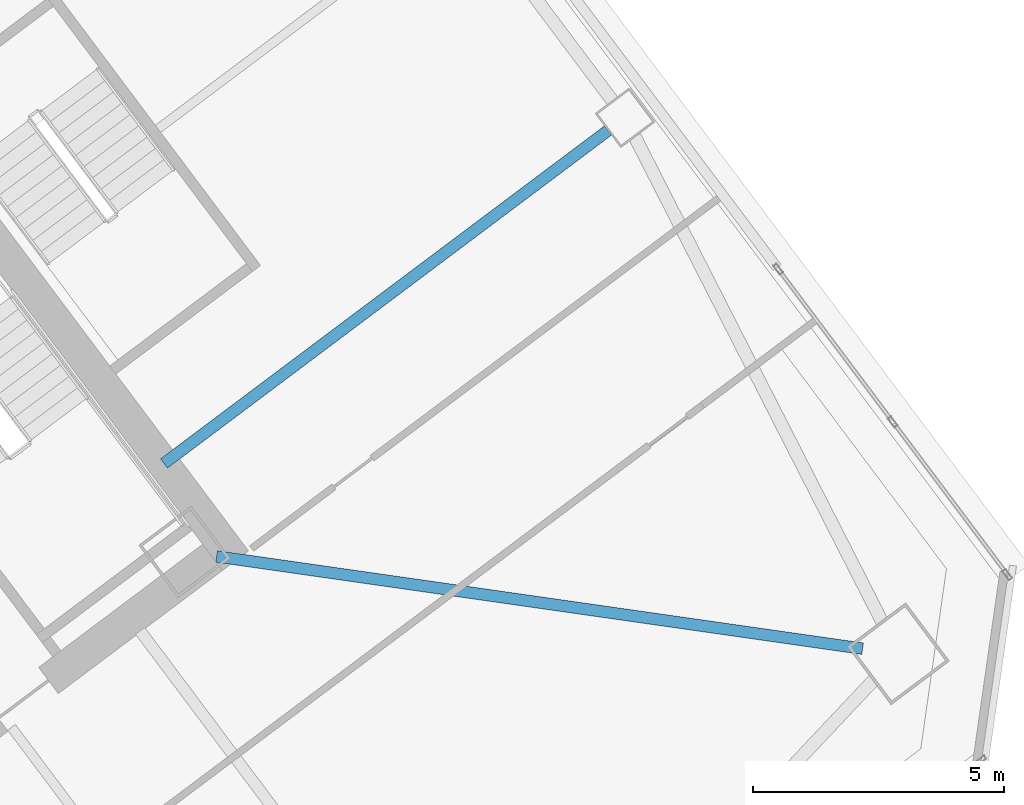
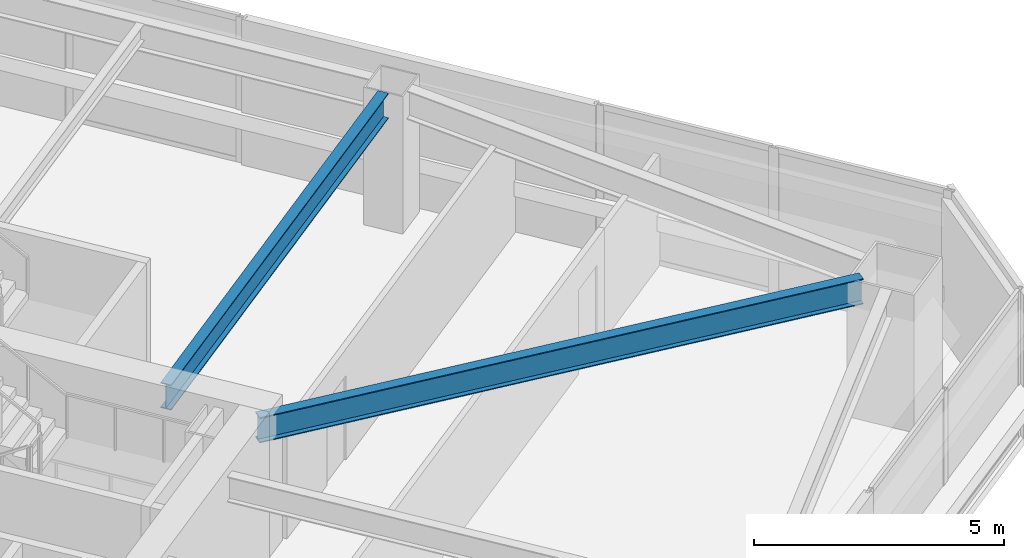
# One storey, part 24 of 44: 2 beams.
"""IFC4 building model written with IfcOpenShell, lengths in metres."""

import ifcopenshell
import ifcopenshell.guid

model = None  # the IFC model being written
_history = None  # IfcOwnerHistory: only IFC2X3 demands one
_inside = {}  # id of a spatial element -> (the spatial element, [elements in it])
_under = {}  # id of a project, library or spatial element -> (it, [spatial elements below it])
_declared = {}  # id of a project -> (the project, [libraries it declares])
_typed = {}  # id of a type object -> (the type object, [elements of that type])
_made_of = {}  # id of a material, layer set ... -> (it, [elements and type objects made of it])


def new_model(schema):
    """Start an empty IFC model of exactly this schema.

    Asked for "IFC4X3", IfcOpenShell would pick the latest addendum, in which some entities
    have other attributes; the version numbers below select the first issue.
    IFC2X3 requires an IfcOwnerHistory on every rooted entity: one is made here for all.
    """
    global model, _history
    if schema == "IFC4X3":
        model = ifcopenshell.file(schema_version=(4, 3, 0, 0))
    else:
        model = ifcopenshell.file(schema=schema)
    _inside.clear()
    _under.clear()
    _declared.clear()
    _typed.clear()
    _made_of.clear()
    _history = None
    if model.schema == "IFC2X3":
        org = make("IfcOrganization", Name="unknown")
        user = make(
            "IfcPersonAndOrganization",
            ThePerson=make("IfcPerson", FamilyName="unknown"),
            TheOrganization=org,
        )
        app = make(
            "IfcApplication",
            ApplicationDeveloper=org,
            Version="unknown",
            ApplicationFullName="unknown",
            ApplicationIdentifier="unknown",
        )
        _history = make(
            "IfcOwnerHistory",
            OwningUser=user,
            OwningApplication=app,
            ChangeAction="ADDED",
            CreationDate=0,
        )
    return model


def make(cls, **values):
    """One entity of the class cls with the attributes given. An attribute that is None is left unset."""
    return model.create_entity(
        cls, **{name: value for name, value in values.items() if value is not None}
    )


def rooted(cls, **values):
    """An entity with a GlobalId (a new one), such as an element, a storey or a relation."""
    return make(cls, GlobalId=ifcopenshell.guid.new(), OwnerHistory=_history, **values)


def si_unit(unit_type, name, prefix=None):
    """IfcSIUnit, for example si_unit("LENGTHUNIT", "METRE", prefix="MILLI")."""
    return make("IfcSIUnit", UnitType=unit_type, Prefix=prefix, Name=name)


def assignment(units):
    """IfcUnitAssignment: the units of a project."""
    return None if units is None else make("IfcUnitAssignment", Units=units)


def point(xyz):
    """IfcCartesianPoint."""
    return None if xyz is None else make("IfcCartesianPoint", Coordinates=xyz)


def direction(xyz):
    """IfcDirection."""
    return None if xyz is None else make("IfcDirection", DirectionRatios=xyz)


def frame(location, z_axis=None, x_axis=None):
    """IfcAxis2Placement3D, a coordinate frame: its origin and axes. An axis left out is left unset."""
    return make(
        "IfcAxis2Placement3D",
        Location=point(location),
        Axis=direction(z_axis),
        RefDirection=direction(x_axis),
    )


def frame_2d(location, x_axis=None):
    """IfcAxis2Placement2D, a coordinate frame in the plane: its origin and x axis."""
    return make(
        "IfcAxis2Placement2D", Location=point(location), RefDirection=direction(x_axis)
    )


def origin():
    """The frame at (0, 0, 0) with its axes left unset."""
    return frame((0.0, 0.0, 0.0))


def origin_2d():
    """The frame at (0, 0) in the plane with its x axis left unset."""
    return frame_2d((0.0, 0.0))


def place(relative_to, where):
    """IfcLocalPlacement: puts the frame where relative to a parent placement (None: the world)."""
    return make(
        "IfcLocalPlacement", PlacementRelTo=relative_to, RelativePlacement=where
    )


def context(
    kind, dimensions, precision=None, world=None, true_north=None, identifier=None
):
    """IfcGeometricRepresentationContext, for example the 3D "Model" context."""
    return make(
        "IfcGeometricRepresentationContext",
        ContextIdentifier=identifier,
        ContextType=kind,
        CoordinateSpaceDimension=dimensions,
        Precision=precision,
        WorldCoordinateSystem=world,
        TrueNorth=true_north,
    )


def subcontext(parent, identifier, kind, view, scale=None):
    """IfcGeometricRepresentationSubContext, for example "Body" below "Model"."""
    return make(
        "IfcGeometricRepresentationSubContext",
        ContextIdentifier=identifier,
        ContextType=kind,
        ParentContext=parent,
        TargetScale=scale,
        TargetView=view,
    )


def project(units=None, contexts=None):
    """IfcProject with its units and contexts."""
    return rooted(
        "IfcProject",
        Name="project",
        RepresentationContexts=contexts,
        UnitsInContext=assignment(units),
    )


def spatial(cls, under=None, at=None, **own):
    """A site, building, storey or space (cls), placed at a placement, below another one or the project."""
    s = rooted(cls, ObjectPlacement=at, **own)
    if under is not None:
        _under.setdefault(under.id(), (under, []))[1].append(s)
    return s


def profile(cls, at=None, kind="AREA", **sizes):
    """A parametric profile (cls). Its sizes go by their IFC names, for example OverallWidth=200.0."""
    return make(cls, ProfileType=kind, Position=at, **sizes)


def i_section(**sizes):
    """IfcIShapeProfileDef."""
    return profile("IfcIShapeProfileDef", **sizes)


def extrude(swept, where, along, depth):
    """IfcExtrudedAreaSolid: the profile swept, set in the frame where, extruded along a direction by depth."""
    return make(
        "IfcExtrudedAreaSolid",
        SweptArea=swept,
        Position=where,
        ExtrudedDirection=direction(along),
        Depth=depth,
    )


def shape(context_of_items, identifier, shape_type, items):
    """IfcShapeRepresentation: the items that make up one representation, for example the "Body"."""
    return make(
        "IfcShapeRepresentation",
        ContextOfItems=context_of_items,
        RepresentationIdentifier=identifier,
        RepresentationType=shape_type,
        Items=items,
    )


def material(Name=None, Category=None):
    """IfcMaterial."""
    return make("IfcMaterial", Name=Name, Category=Category)


def material_profile(
    of_material, cross_section, Name=None, Category=None, Priority=None
):
    """IfcMaterialProfile: a cross section and its material."""
    return make(
        "IfcMaterialProfile",
        Name=Name,
        Material=of_material,
        Profile=cross_section,
        Priority=Priority,
        Category=Category,
    )


def profile_set(profiles, Name=None, composite=None):
    """IfcMaterialProfileSet."""
    return make(
        "IfcMaterialProfileSet",
        Name=Name,
        MaterialProfiles=profiles,
        CompositeProfile=composite,
    )


def made_of(thing, what):
    """Note that an element or type object is made of a material, layer set ...; save() writes the relation."""
    if what is not None:
        _made_of.setdefault(what.id(), (what, []))[1].append(thing)
    return thing


def type_object(cls, material=None, **own):
    """A type object (cls), such as IfcWallType, which elements share."""
    return made_of(rooted(cls, **own), material)


def element(
    cls,
    number,
    at=None,
    inside=None,
    cuts=None,
    type_object=None,
    material=None,
    context=None,
    identifier="Body",
    shape_type=None,
    held_by="IfcProductDefinitionShape",
    body=None,
    shapes=None,
    **own,
):
    """One element of the class cls, such as IfcWall. Its Tag is "e" and its number.

    at: its placement. inside: the storey or other place that contains it. cuts: it is an
    opening in that element (IfcRelVoidsElement). A single representation is given by context,
    identifier, shape_type and body (its items); several are given by shapes. held_by: the class
    of the entity that holds the representations. save() writes the other relations.
    """
    e = rooted(cls, Tag="e%d" % number, ObjectPlacement=at, **own)
    if body is not None:
        shapes = [shape(context, identifier, shape_type, body)]
    if shapes is not None:
        e.Representation = make(held_by, Representations=shapes)
    if inside is not None:
        _inside.setdefault(inside.id(), (inside, []))[1].append(e)
    if cuts is not None:
        rooted(
            "IfcRelVoidsElement", RelatingBuildingElement=cuts, RelatedOpeningElement=e
        )
    if type_object is not None:
        _typed.setdefault(type_object.id(), (type_object, []))[1].append(e)
    return made_of(e, material)


def aggregate(whole, parts):
    """IfcRelAggregates: a whole, such as a stair, and the parts it consists of."""
    return rooted("IfcRelAggregates", RelatingObject=whole, RelatedObjects=parts)


def save(model, path):
    """Write the relations noted so far, then the file.

    IfcRelAggregates (storeys below a building ...), IfcRelContainedInSpatialStructure (elements
    in a storey), IfcRelDefinesByType, IfcRelAssociatesMaterial and IfcRelDeclares: one each for
    every whole, place, type object, material and project.
    """
    for whole, parts in _under.values():
        aggregate(whole, parts)
    for where, things in _inside.values():
        rooted(
            "IfcRelContainedInSpatialStructure",
            RelatedElements=things,
            RelatingStructure=where,
        )
    for kind, things in _typed.values():
        rooted("IfcRelDefinesByType", RelatedObjects=things, RelatingType=kind)
    for what, things in _made_of.values():
        rooted("IfcRelAssociatesMaterial", RelatedObjects=things, RelatingMaterial=what)
    for by, libraries in _declared.values():
        rooted("IfcRelDeclares", RelatingContext=by, RelatedDefinitions=libraries)
    model.write(path)


model = new_model("IFC4")

# Units and contexts
model_context = context("Model", 3, precision=1e-05, world=origin(), true_north=direction((0.0, 1.0)))
body_context = subcontext(model_context, "Body", "Model", "MODEL_VIEW")
ifc_project = project(units=[si_unit("LENGTHUNIT", "METRE"), si_unit("AREAUNIT", "SQUARE_METRE"), si_unit("VOLUMEUNIT", "CUBIC_METRE"), si_unit("PLANEANGLEUNIT", "RADIAN"), si_unit("MASSUNIT", "GRAM", prefix="KILO")], contexts=[model_context])

# Site, building, storey
site_placement = place(None, origin())
site = spatial("IfcSite", under=ifc_project, at=site_placement, CompositionType="ELEMENT")
building_placement = place(site_placement, origin())
building = spatial("IfcBuilding", under=site, at=building_placement, Name="Tashvorn Skyway Center", CompositionType="ELEMENT")
storey_placement = place(building_placement, frame((0.0, 0.0, 95.60009765625)))
storey = spatial("IfcBuildingStorey", under=building, at=storey_placement, Name="L25", CompositionType="ELEMENT", Elevation=95.60009765625)

# Beams
ifc_material = material(Name="Steel ASTM A992 Grade 50", Category="steel")
ifc_material_profile = material_profile(ifc_material, i_section(OverallWidth=0.22998046875, OverallDepth=0.616943359375, WebThickness=0.01318359375, FlangeThickness=0.022216796875, at=origin_2d()), Name="W24X94")
ifc_profile_set = profile_set([ifc_material_profile], Name="Steel ASTM A992 Grade 50")
beam_type = type_object("IfcBeamType", Name="BM-BEAM-W24X94", PredefinedType="BEAM", material=ifc_profile_set)
beam_1_placement = place(storey_placement, frame((137.3671875, 28.661865234375, 3.04150390625), z_axis=(-0.989949869571, 0.141418724841, 0.0), x_axis=(-0.141418724841, -0.989949869571, 0.0)))
element("IfcBeam", 1, at=beam_1_placement, inside=storey, type_object=beam_type, Name="Tower 2 L25 Primary Floor Girder MC-SE", PredefinedType="BEAM", context=body_context, shape_type="SweptSolid", body=[
    extrude(i_section(OverallWidth=0.22998046875, OverallDepth=0.616943359375, WebThickness=0.01318359375, FlangeThickness=0.022216796875, at=origin_2d()), origin(), (0.0, 0.0, 1.0), 12.9892578125),
])
beam_2_placement = place(storey_placement, frame((132.303955078125, 38.97802734375, 3.04150390625), z_axis=(-0.799989394625, -0.60001414024, 0.0), x_axis=(0.60001414024, -0.799989394625, 0.0)))
element("IfcBeam", 2, at=beam_2_placement, inside=storey, type_object=beam_type, Name="Tower 2 L25 Primary Floor Girder FC-E1", PredefinedType="BEAM", context=body_context, shape_type="SweptSolid", body=[
    extrude(i_section(OverallWidth=0.22998046875, OverallDepth=0.616943359375, WebThickness=0.01318359375, FlangeThickness=0.022216796875, at=origin_2d()), origin(), (0.0, 0.0, 1.0), 11.050048828125),
])

save(model, "model.ifc")
